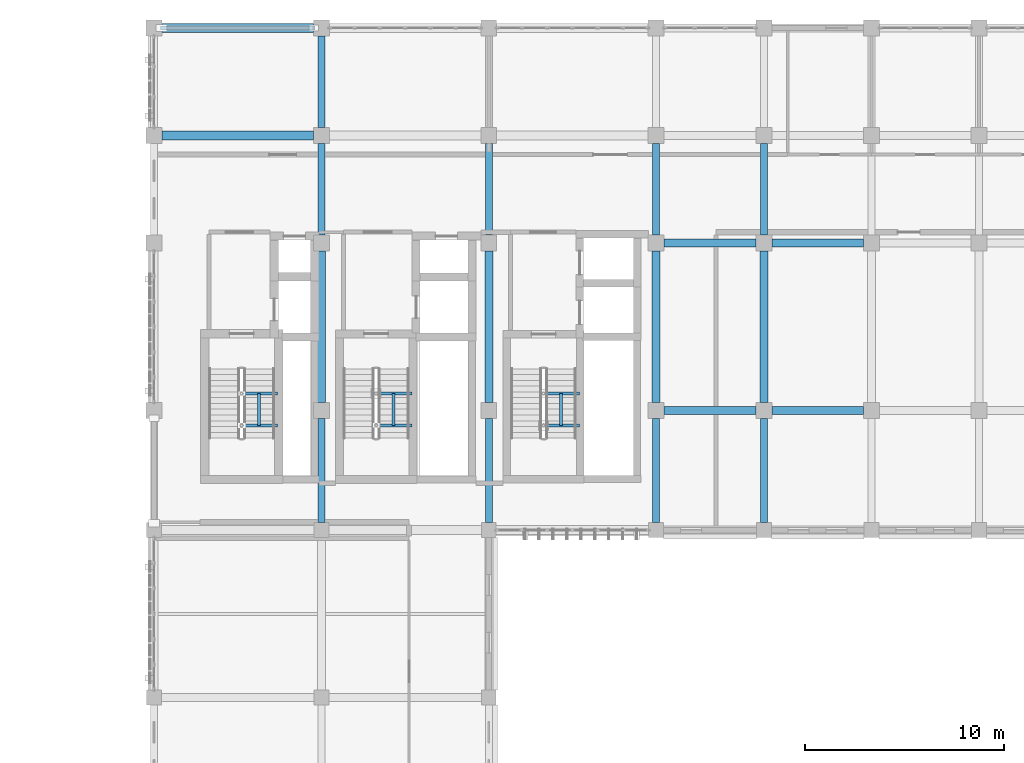
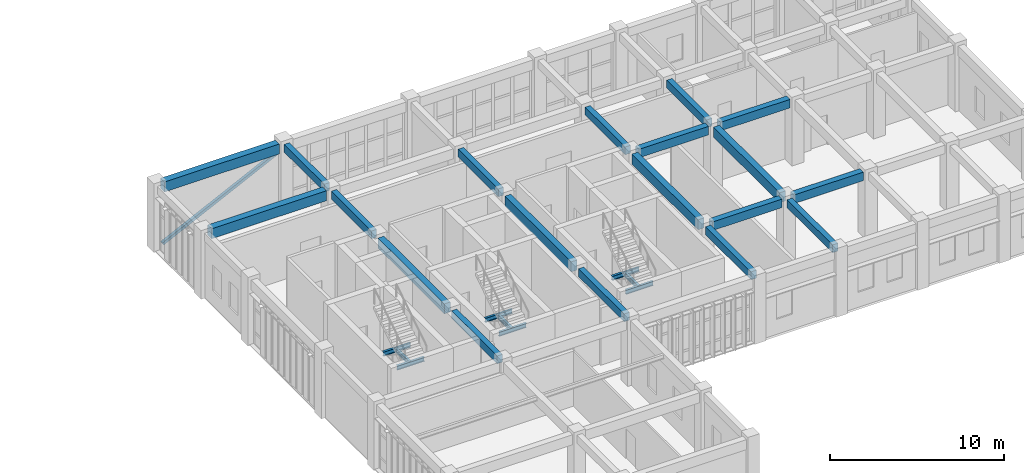
# One storey, part 48 of 76: 28 beams, 1 member.
"""IFC4 building model written with IfcOpenShell, lengths in metres."""

from ifc_helpers import new_model, si_unit, direction, frame, origin, origin_2d, place, context, subcontext, project, spatial, rectangle, hollow_rectangle, i_section, extrude, material, material_profile, profile_set, type_object, element, save


model = new_model("IFC4")

# Units and contexts
model_context = context("Model", 3, precision=1e-05, world=origin(), true_north=direction((0.0, 1.0)))
body_context = subcontext(model_context, "Body", "Model", "MODEL_VIEW")
ifc_project = project(units=[si_unit("LENGTHUNIT", "METRE"), si_unit("AREAUNIT", "SQUARE_METRE"), si_unit("VOLUMEUNIT", "CUBIC_METRE"), si_unit("PLANEANGLEUNIT", "RADIAN"), si_unit("MASSUNIT", "GRAM", prefix="KILO")], contexts=[model_context])

# Site, building, storey
site_placement = place(None, origin())
site = spatial("IfcSite", under=ifc_project, at=site_placement, CompositionType="ELEMENT")
building_placement = place(site_placement, origin())
building = spatial("IfcBuilding", under=site, at=building_placement, Name="Krzemoval Escarpment Law Courts", CompositionType="ELEMENT")
storey_placement = place(building_placement, frame((0.0, 0.0, 20.39990234375)))
storey = spatial("IfcBuildingStorey", under=building, at=storey_placement, Name="L04", CompositionType="ELEMENT", Elevation=20.39990234375)

# Beams
ifc_material_1 = material(Name="Concrete C40/50", Category="concrete")
ifc_material_profile_1 = material_profile(ifc_material_1, rectangle(XDim=0.35009765625, YDim=0.550048828125, at=origin_2d()), Name="RCB 350x550")
ifc_profile_set_1 = profile_set([ifc_material_profile_1], Name="Concrete C40/50")
beam_type_1 = type_object("IfcBeamType", Name="BM-RC-350x550", PredefinedType="BEAM", material=ifc_profile_set_1)
beam_1_placement = place(storey_placement, frame((134.39990234375, 93.97509765625, 4.275146484375), z_axis=(0.0, 1.0, 0.0), x_axis=(-1.0, 0.0, 0.0)))
element("IfcBeam", 1, at=beam_1_placement, inside=storey, type_object=beam_type_1, Name="Beam FG-L04-2514", PredefinedType="BEAM", context=body_context, shape_type="SweptSolid", body=[
    extrude(rectangle(XDim=0.35009765625, YDim=0.550048828125, at=origin_2d()), origin(), (0.0, 0.0, 1.0), 5.224853515625),
])
beam_2_placement = place(storey_placement, frame((134.39990234375, 108.39990234375, 4.275146484375), z_axis=(0.0, 1.0, 0.0), x_axis=(-1.0, 0.0, 0.0)))
element("IfcBeam", 2, at=beam_2_placement, inside=storey, type_object=beam_type_1, Name="Beam FG-L04-2516", PredefinedType="BEAM", context=body_context, shape_type="SweptSolid", body=[
    extrude(rectangle(XDim=0.35009765625, YDim=0.550048828125, at=origin_2d()), origin(), (0.0, 0.0, 1.0), 4.60009765625),
])
beam_3_placement = place(storey_placement, frame((134.39990234375, 113.800048828125, 4.275146484375), z_axis=(0.0, 1.0, 0.0), x_axis=(-1.0, 0.0, 0.0)))
element("IfcBeam", 3, at=beam_3_placement, inside=storey, type_object=beam_type_1, Name="Beam FG-L04-2517", PredefinedType="BEAM", context=body_context, shape_type="SweptSolid", body=[
    extrude(rectangle(XDim=0.35009765625, YDim=0.550048828125, at=origin_2d()), origin(), (0.0, 0.0, 1.0), 4.599853515625),
])
beam_4_placement = place(storey_placement, frame((142.800048828125, 93.97509765625, 4.275146484375), z_axis=(0.0, 1.0, 0.0), x_axis=(-1.0, 0.0, 0.0)))
element("IfcBeam", 4, at=beam_4_placement, inside=storey, type_object=beam_type_1, Name="Beam FG-L04-2520", PredefinedType="BEAM", context=body_context, shape_type="SweptSolid", body=[
    extrude(rectangle(XDim=0.35009765625, YDim=0.550048828125, at=origin_2d()), origin(), (0.0, 0.0, 1.0), 5.224853515625),
])
beam_5_placement = place(storey_placement, frame((142.800048828125, 108.39990234375, 4.275146484375), z_axis=(0.0, 1.0, 0.0), x_axis=(-1.0, 0.0, 0.0)))
element("IfcBeam", 5, at=beam_5_placement, inside=storey, type_object=beam_type_1, Name="Beam FG-L04-2522", PredefinedType="BEAM", context=body_context, shape_type="SweptSolid", body=[
    extrude(rectangle(XDim=0.35009765625, YDim=0.550048828125, at=origin_2d()), origin(), (0.0, 0.0, 1.0), 4.60009765625),
])
beam_6_placement = place(storey_placement, frame((151.199951171875, 93.97509765625, 4.275146484375), z_axis=(0.0, 1.0, 0.0), x_axis=(-1.0, 0.0, 0.0)))
element("IfcBeam", 6, at=beam_6_placement, inside=storey, type_object=beam_type_1, Name="Beam FG-L04-2524", PredefinedType="BEAM", context=body_context, shape_type="SweptSolid", body=[
    extrude(rectangle(XDim=0.35009765625, YDim=0.550048828125, at=origin_2d()), origin(), (0.0, 0.0, 1.0), 5.224853515625),
])
beam_7_placement = place(storey_placement, frame((151.199951171875, 108.39990234375, 4.275146484375), z_axis=(0.0, 1.0, 0.0), x_axis=(-1.0, 0.0, 0.0)))
element("IfcBeam", 7, at=beam_7_placement, inside=storey, type_object=beam_type_1, Name="Beam FG-L04-2526", PredefinedType="BEAM", context=body_context, shape_type="SweptSolid", body=[
    extrude(rectangle(XDim=0.35009765625, YDim=0.550048828125, at=origin_2d()), origin(), (0.0, 0.0, 1.0), 4.60009765625),
])
beam_8_placement = place(storey_placement, frame((156.60009765625, 93.97509765625, 4.275146484375), z_axis=(0.0, 1.0, 0.0), x_axis=(-1.0, 0.0, 0.0)))
element("IfcBeam", 8, at=beam_8_placement, inside=storey, type_object=beam_type_1, Name="Beam FG-L04-2528", PredefinedType="BEAM", context=body_context, shape_type="SweptSolid", body=[
    extrude(rectangle(XDim=0.35009765625, YDim=0.550048828125, at=origin_2d()), origin(), (0.0, 0.0, 1.0), 5.224853515625),
])
beam_9_placement = place(storey_placement, frame((156.60009765625, 108.39990234375, 4.275146484375), z_axis=(0.0, 1.0, 0.0), x_axis=(-1.0, 0.0, 0.0)))
element("IfcBeam", 9, at=beam_9_placement, inside=storey, type_object=beam_type_1, Name="Beam FG-L04-2530", PredefinedType="BEAM", context=body_context, shape_type="SweptSolid", body=[
    extrude(rectangle(XDim=0.35009765625, YDim=0.550048828125, at=origin_2d()), origin(), (0.0, 0.0, 1.0), 4.60009765625),
])
ifc_material_2 = material(Name="Concrete C40/50", Category="concrete")
ifc_material_profile_2 = material_profile(ifc_material_2, rectangle(XDim=0.39990234375, YDim=0.60009765625, at=origin_2d()), Name="RCB 400x600")
ifc_profile_set_2 = profile_set([ifc_material_profile_2], Name="Concrete C40/50")
beam_type_2 = type_object("IfcBeamType", Name="BM-RC-400x600", PredefinedType="BEAM", material=ifc_profile_set_2)
beam_10_placement = place(storey_placement, frame((151.60009765625, 99.60009765625, 4.25), z_axis=(1.0, 0.0, 0.0), x_axis=(0.0, 1.0, 0.0)))
element("IfcBeam", 10, at=beam_10_placement, inside=storey, type_object=beam_type_2, Name="Beam FG-L04-2460", PredefinedType="BEAM", context=body_context, shape_type="SweptSolid", body=[
    extrude(rectangle(XDim=0.39990234375, YDim=0.60009765625, at=origin_2d()), origin(), (0.0, 0.0, 1.0), 4.599853515625),
])
beam_11_placement = place(storey_placement, frame((157.0, 99.60009765625, 4.25), z_axis=(1.0, 0.0, 0.0), x_axis=(0.0, 1.0, 0.0)))
element("IfcBeam", 11, at=beam_11_placement, inside=storey, type_object=beam_type_2, Name="Beam FG-L04-2461", PredefinedType="BEAM", context=body_context, shape_type="SweptSolid", body=[
    extrude(rectangle(XDim=0.39990234375, YDim=0.60009765625, at=origin_2d()), origin(), (0.0, 0.0, 1.0), 4.60009765625),
])
beam_12_placement = place(storey_placement, frame((151.60009765625, 108.0, 4.25), z_axis=(1.0, 0.0, 0.0), x_axis=(0.0, 1.0, 0.0)))
element("IfcBeam", 12, at=beam_12_placement, inside=storey, type_object=beam_type_2, Name="Beam FG-L04-2464", PredefinedType="BEAM", context=body_context, shape_type="SweptSolid", body=[
    extrude(rectangle(XDim=0.39990234375, YDim=0.60009765625, at=origin_2d()), origin(), (0.0, 0.0, 1.0), 4.599853515625),
])
beam_13_placement = place(storey_placement, frame((157.0, 108.0, 4.25), z_axis=(1.0, 0.0, 0.0), x_axis=(0.0, 1.0, 0.0)))
element("IfcBeam", 13, at=beam_13_placement, inside=storey, type_object=beam_type_2, Name="Beam FG-L04-2465", PredefinedType="BEAM", context=body_context, shape_type="SweptSolid", body=[
    extrude(rectangle(XDim=0.39990234375, YDim=0.60009765625, at=origin_2d()), origin(), (0.0, 0.0, 1.0), 4.60009765625),
])
ifc_material_3 = material(Name="Concrete C40/50", Category="concrete")
ifc_material_profile_3 = material_profile(ifc_material_3, rectangle(XDim=0.39990234375, YDim=0.699951171875, at=origin_2d()), Name="RCB 400x700")
ifc_profile_set_3 = profile_set([ifc_material_profile_3], Name="Concrete C40/50")
beam_type_3 = type_object("IfcBeamType", Name="BM-RC-400x700", PredefinedType="BEAM", material=ifc_profile_set_3)
for number, where, z_axis, x_axis, name in (
    (14, (134.39990234375, 100.0, 4.2001953125), (0.0, 1.0, 0.0), (-1.0, 0.0, 0.0), "Beam FG-L04-2515"),
    (15, (142.800048828125, 100.0, 4.2001953125), (0.0, 1.0, 0.0), (-1.0, 0.0, 0.0), "Beam FG-L04-2521"),
    (16, (151.199951171875, 100.0, 4.2001953125), (0.0, 1.0, 0.0), (-1.0, 0.0, 0.0), "Beam FG-L04-2525"),
    (17, (156.60009765625, 100.0, 4.2001953125), (0.0, 1.0, 0.0), (-1.0, 0.0, 0.0), "Beam FG-L04-2529"),
):
    element("IfcBeam", number, at=place(storey_placement, frame(where, z_axis=z_axis, x_axis=x_axis)), inside=storey, type_object=beam_type_3, Name=name, PredefinedType="BEAM", context=body_context, shape_type="SweptSolid", body=[
        extrude(rectangle(XDim=0.39990234375, YDim=0.699951171875, at=origin_2d()), origin(), (0.0, 0.0, 1.0), 7.60009765625),
    ])
ifc_material_4 = material(Name="Concrete C40/50", Category="concrete")
ifc_material_profile_4 = material_profile(ifc_material_4, rectangle(XDim=0.449951171875, YDim=0.699951171875, at=origin_2d()), Name="RCB 450x700")
ifc_profile_set_4 = profile_set([ifc_material_profile_4], Name="Concrete C40/50")
beam_type_4 = type_object("IfcBeamType", Name="BM-RC-450x700", PredefinedType="BEAM", material=ifc_profile_set_4)
for number, where, z_axis, x_axis, name in (
    (18, (126.39990234375, 113.39990234375, 4.2001953125), (1.0, 0.0, 0.0), (0.0, 1.0, 0.0), "Beam FG-L04-2468"),
    (19, (126.39990234375, 118.800048828125, 4.2001953125), (1.0, 0.0, 0.0), (0.0, 1.0, 0.0), "Beam FG-L04-2475"),
):
    element("IfcBeam", number, at=place(storey_placement, frame(where, z_axis=z_axis, x_axis=x_axis)), inside=storey, type_object=beam_type_4, Name=name, PredefinedType="BEAM", context=body_context, shape_type="SweptSolid", body=[
        extrude(rectangle(XDim=0.449951171875, YDim=0.699951171875, at=origin_2d()), origin(), (0.0, 0.0, 1.0), 7.60009765625),
    ])
ifc_material_5 = material(Name="Steel S355", Category="steel")
ifc_material_profile_5 = material_profile(ifc_material_5, i_section(OverallWidth=0.14990234375, OverallDepth=0.300048828125, WebThickness=0.007080078125, FlangeThickness=0.0107421875, at=origin_2d()), Name="IPE 300")
ifc_profile_set_5 = profile_set([ifc_material_profile_5], Name="Steel S355")
beam_type_5 = type_object("IfcBeamType", Name="JST-S355-IPE300", PredefinedType="JOIST", material=ifc_profile_set_5)
for number, where, z_axis, x_axis, name in (
    (20, (130.39990234375, 98.860107421875, 2.1201171875), (1.0, 0.0, 0.0), (0.0, 1.0, 0.0), "Stair Well Crosshead SLHW-C1-L04-1"),
    (21, (130.39990234375, 100.4599609375, 2.1201171875), (1.0, 0.0, 0.0), (0.0, 1.0, 0.0), "Stair Well Crosshead SLHW-C1-L04-2"),
):
    element("IfcBeam", number, at=place(storey_placement, frame(where, z_axis=z_axis, x_axis=x_axis)), inside=storey, type_object=beam_type_5, Name=name, PredefinedType="JOIST", context=body_context, shape_type="SweptSolid", body=[
        extrude(i_section(OverallWidth=0.14990234375, OverallDepth=0.300048828125, WebThickness=0.007080078125, FlangeThickness=0.0107421875, at=origin_2d()), origin(), (0.0, 0.0, 1.0), 1.81005859375),
    ])
beam_14_placement = place(storey_placement, frame((131.27490234375, 98.860107421875, 2.1201171875), z_axis=(0.0, 1.0, 0.0), x_axis=(-1.0, 0.0, 0.0)))
element("IfcBeam", 22, at=beam_14_placement, inside=storey, type_object=beam_type_5, Name="Stair Flight Support Stringer SLTW-C1-L04", PredefinedType="JOIST", context=body_context, shape_type="SweptSolid", body=[
    extrude(i_section(OverallWidth=0.14990234375, OverallDepth=0.300048828125, WebThickness=0.007080078125, FlangeThickness=0.0107421875, at=origin_2d()), origin(), (0.0, 0.0, 1.0), 1.599853515625),
])
for number, where, z_axis, x_axis, name in (
    (23, (137.14990234375, 98.860107421875, 2.1201171875), (1.0, 0.0, 0.0), (0.0, 1.0, 0.0), "Stair Well Crosshead SLHW-C2-L04-1"),
    (24, (137.14990234375, 100.4599609375, 2.1201171875), (1.0, 0.0, 0.0), (0.0, 1.0, 0.0), "Stair Well Crosshead SLHW-C2-L04-2"),
):
    element("IfcBeam", number, at=place(storey_placement, frame(where, z_axis=z_axis, x_axis=x_axis)), inside=storey, type_object=beam_type_5, Name=name, PredefinedType="JOIST", context=body_context, shape_type="SweptSolid", body=[
        extrude(i_section(OverallWidth=0.14990234375, OverallDepth=0.300048828125, WebThickness=0.007080078125, FlangeThickness=0.0107421875, at=origin_2d()), origin(), (0.0, 0.0, 1.0), 1.81005859375),
    ])
beam_15_placement = place(storey_placement, frame((138.02490234375, 98.860107421875, 2.1201171875), z_axis=(0.0, 1.0, 0.0), x_axis=(-1.0, 0.0, 0.0)))
element("IfcBeam", 25, at=beam_15_placement, inside=storey, type_object=beam_type_5, Name="Stair Flight Support Stringer SLTW-C2-L04", PredefinedType="JOIST", context=body_context, shape_type="SweptSolid", body=[
    extrude(i_section(OverallWidth=0.14990234375, OverallDepth=0.300048828125, WebThickness=0.007080078125, FlangeThickness=0.0107421875, at=origin_2d()), origin(), (0.0, 0.0, 1.0), 1.599853515625),
])
for number, where, z_axis, x_axis, name in (
    (26, (145.550048828125, 98.860107421875, 2.1201171875), (1.0, 0.0, 0.0), (0.0, 1.0, 0.0), "Stair Well Crosshead SLHW-C3-L04-1"),
    (27, (145.550048828125, 100.4599609375, 2.1201171875), (1.0, 0.0, 0.0), (0.0, 1.0, 0.0), "Stair Well Crosshead SLHW-C3-L04-2"),
):
    element("IfcBeam", number, at=place(storey_placement, frame(where, z_axis=z_axis, x_axis=x_axis)), inside=storey, type_object=beam_type_5, Name=name, PredefinedType="JOIST", context=body_context, shape_type="SweptSolid", body=[
        extrude(i_section(OverallWidth=0.14990234375, OverallDepth=0.300048828125, WebThickness=0.007080078125, FlangeThickness=0.0107421875, at=origin_2d()), origin(), (0.0, 0.0, 1.0), 1.81005859375),
    ])
beam_16_placement = place(storey_placement, frame((146.425048828125, 98.860107421875, 2.1201171875), z_axis=(0.0, 1.0, 0.0), x_axis=(-1.0, 0.0, 0.0)))
element("IfcBeam", 28, at=beam_16_placement, inside=storey, type_object=beam_type_5, Name="Stair Flight Support Stringer SLTW-C3-L04", PredefinedType="JOIST", context=body_context, shape_type="SweptSolid", body=[
    extrude(i_section(OverallWidth=0.14990234375, OverallDepth=0.300048828125, WebThickness=0.007080078125, FlangeThickness=0.0107421875, at=origin_2d()), origin(), (0.0, 0.0, 1.0), 1.599853515625),
])

# Member
ifc_material_6 = material(Name="Steel S355", Category="steel")
ifc_material_profile_6 = material_profile(ifc_material_6, hollow_rectangle(XDim=0.199951171875, YDim=0.199951171875, WallThickness=0.010009765625, at=origin_2d()), Name="SHS 200x200x10")
ifc_profile_set_6 = profile_set([ifc_material_profile_6], Name="Steel S355")
member_type = type_object("IfcMemberType", Name="MBR-BRC-SHS200", PredefinedType="BRACE", material=ifc_profile_set_6)
member_placement = place(storey_placement, frame((126.375, 118.800048828125, 0.14013671875), z_axis=(0.898846177245, 0.0, 0.438264246376), x_axis=(0.0, 1.0, 0.0)))
element("IfcMember", 29, at=member_placement, inside=storey, type_object=member_type, Name="Lateral Diagonal Brace BR-0254", PredefinedType="BRACE", context=body_context, shape_type="SweptSolid", body=[
    extrude(hollow_rectangle(XDim=0.199951171875, YDim=0.199951171875, WallThickness=0.010009765625, at=origin_2d()), origin(), (0.0, 0.0, 1.0), 8.5107421875),
])

save(model, "model.ifc")
